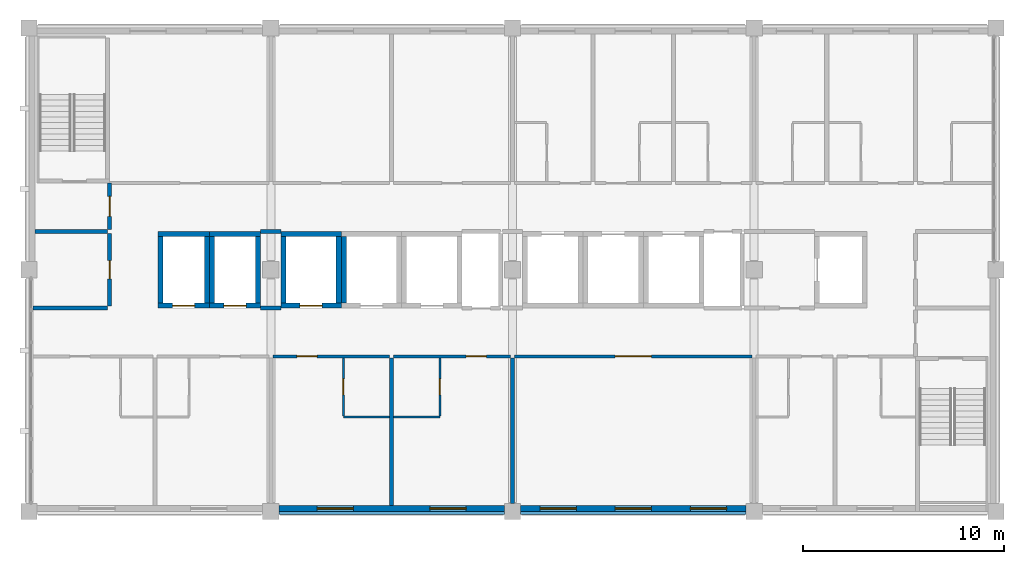
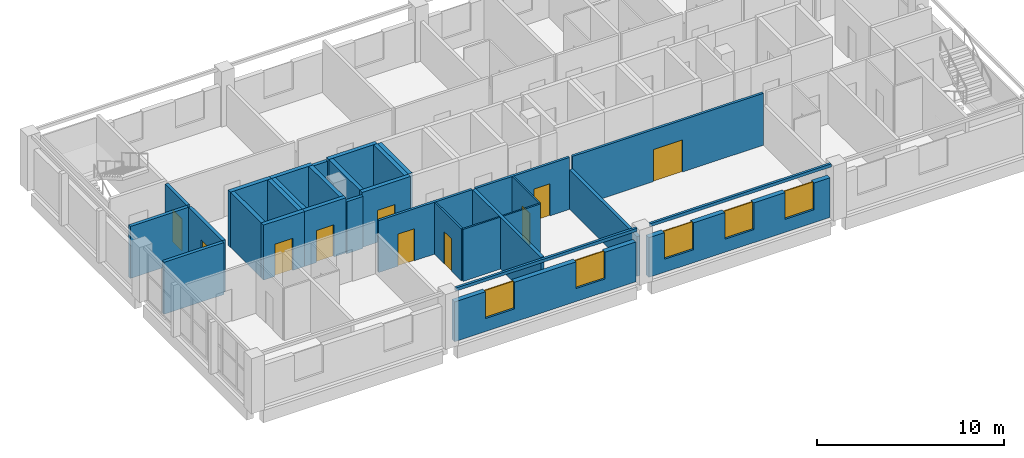
# One storey, part 6 of 11: 32 walls, 10 doors, 5 windows, 15 openings.
"""IFC4 building model written with IfcOpenShell, lengths in metres."""

from ifc_helpers import new_model, si_unit, direction, frame, frame_2d, origin, place, context, subcontext, project, spatial, rectangle, extrude, material, layer, layer_set, type_object, element, fill, save


model = new_model("IFC4")

# Units and contexts
model_context = context("Model", 3, precision=1e-05, world=origin(), true_north=direction((0.0, 1.0)))
body_context = subcontext(model_context, "Body", "Model", "MODEL_VIEW")
ifc_project = project(units=[si_unit("LENGTHUNIT", "METRE"), si_unit("AREAUNIT", "SQUARE_METRE"), si_unit("VOLUMEUNIT", "CUBIC_METRE"), si_unit("PLANEANGLEUNIT", "RADIAN"), si_unit("MASSUNIT", "GRAM", prefix="KILO")], contexts=[model_context])

# Site, building, storey
site_placement = place(None, origin())
site = spatial("IfcSite", under=ifc_project, at=site_placement, CompositionType="ELEMENT")
building_placement = place(site_placement, origin())
building = spatial("IfcBuilding", under=site, at=building_placement, Name="Lilac Gate Convention Centre", CompositionType="ELEMENT")
storey_placement = place(building_placement, frame((0.0, 0.0, 35.39990234375)))
storey = spatial("IfcBuildingStorey", under=building, at=storey_placement, Name="L08", CompositionType="ELEMENT", Elevation=35.39990234375)

# Wall, opening, door
ifc_material_1 = material(Name="Concrete C50", Category="concrete")
ifc_layer_1 = layer(ifc_material_1, 0.25)
ifc_layer_set_1 = layer_set([ifc_layer_1], Name="Concrete C50")
wall_type_1 = type_object("IfcWallType", Name="Core wall 250 C50", PredefinedType="SHEAR", material=ifc_layer_set_1)
wall_1_placement = place(storey_placement, frame((54.5, 232.22509765625, 0.0), z_axis=(0.0, 0.0, 1.0), x_axis=(1.0, 0.0, 0.0)))
wall_1 = element("IfcWall", 1, at=wall_1_placement, inside=storey, type_object=wall_type_1, Name="CRW4 core wall TC L08 1", PredefinedType="SHEAR", context=body_context, shape_type="SweptSolid", body=[
    extrude(rectangle(XDim=3.0, YDim=0.25, at=frame_2d((1.5, 0.0))), origin(), (0.0, 0.0, 1.0), 3.60009765625),
])
opening_1_placement = place(wall_1_placement, frame((0.949951171875, 0.0, 0.0)))
opening_1 = element("IfcOpeningElement", 2, at=opening_1_placement, cuts=wall_1, Name="Opening T07-036", PredefinedType="OPENING", context=body_context, shape_type="SweptSolid", body=[
    extrude(rectangle(XDim=1.10009765625, YDim=2.10009765625, at=frame_2d((0.550048828125, 1.050048828125))), frame((0.0, 0.135009765625, 0.0), z_axis=(0.0, -1.0, 0.0), x_axis=(1.0, 0.0, 0.0)), (0.0, 0.0, 1.0), 0.27001953125),
])
ifc_material_2 = material(Name="Stainless steel 304", Category="steel")
door_type_1 = type_object("IfcDoorType", Name="Lift landing door 1100", OperationType="SLIDING_TO_LEFT", PredefinedType="DOOR", material=ifc_material_2)
door_1_placement = place(opening_1_placement, origin())
door_1 = element("IfcDoor", 3, at=door_1_placement, inside=storey, type_object=door_type_1, Name="Lift landing door TP1 L08", OperationType="SLIDING_TO_LEFT", OverallHeight=2.10009765625, OverallWidth=1.10009765625, PredefinedType="DOOR", context=body_context, shape_type="SweptSolid", body=[
    extrude(rectangle(XDim=1.10009765625, YDim=2.10009765625, at=frame_2d((0.550048828125, 1.050048828125))), frame((0.0, 0.02490234375, 0.0), z_axis=(0.0, -1.0, 0.0), x_axis=(1.0, 0.0, 0.0)), (0.0, 0.0, 1.0), 0.050048828125),
])
fill(opening_1, door_1)

# Walls
wall_2_placement = place(storey_placement, frame((54.5, 235.77490234375, 0.0), z_axis=(0.0, 0.0, 1.0), x_axis=(1.0, 0.0, 0.0)))
element("IfcWall", 4, at=wall_2_placement, inside=storey, type_object=wall_type_1, Name="CRW4 core wall TC L08 2", PredefinedType="SHEAR", context=body_context, shape_type="SweptSolid", body=[
    extrude(rectangle(XDim=3.0, YDim=0.25, at=frame_2d((1.5, 0.0))), origin(), (0.0, 0.0, 1.0), 3.60009765625),
])
for number, where, z_axis, x_axis, name in (
    (5, (54.625, 232.35009765625, 0.0), (0.0, 0.0, 1.0), (0.0, 1.0, 0.0), "CRW4 core wall TC L08 3"),
    (6, (57.375, 232.35009765625, 0.0), (0.0, 0.0, 1.0), (0.0, 1.0, 0.0), "CRW4 core wall TC L08 4"),
    (7, (57.625, 232.35009765625, 0.0), (0.0, 0.0, 1.0), (0.0, 1.0, 0.0), "CRW4 core wall TC L08 7"),
):
    element("IfcWall", number, at=place(storey_placement, frame(where, z_axis=z_axis, x_axis=x_axis)), inside=storey, type_object=wall_type_1, Name=name, PredefinedType="SHEAR", context=body_context, shape_type="SweptSolid", body=[
        extrude(rectangle(XDim=3.2998046875, YDim=0.25, at=frame_2d((1.64990234375, 0.0))), origin(), (0.0, 0.0, 1.0), 3.60009765625),
    ])

# Wall, opening, door
wall_3_placement = place(storey_placement, frame((48.39990234375, 232.22509765625, 0.0), z_axis=(0.0, 0.0, 1.0), x_axis=(1.0, 0.0, 0.0)))
wall_3 = element("IfcWall", 8, at=wall_3_placement, inside=storey, type_object=wall_type_1, Name="CRW4 core wall TC L08 25", PredefinedType="SHEAR", context=body_context, shape_type="SweptSolid", body=[
    extrude(rectangle(XDim=2.550048828125, YDim=0.25, at=frame_2d((1.27490234375, 0.0))), origin(), (0.0, 0.0, 1.0), 3.60009765625),
])
opening_2_placement = place(wall_3_placement, frame((0.72509765625, 0.0, 0.0)))
opening_2 = element("IfcOpeningElement", 9, at=opening_2_placement, cuts=wall_3, Name="Opening T07-042", PredefinedType="OPENING", context=body_context, shape_type="SweptSolid", body=[
    extrude(rectangle(XDim=1.10009765625, YDim=2.10009765625, at=frame_2d((0.550048828125, 1.050048828125))), frame((0.0, 0.135009765625, 0.0), z_axis=(0.0, -1.0, 0.0), x_axis=(1.0, 0.0, 0.0)), (0.0, 0.0, 1.0), 0.27001953125),
])
door_2_placement = place(opening_2_placement, origin())
door_2 = element("IfcDoor", 10, at=door_2_placement, inside=storey, type_object=door_type_1, Name="Lift landing door TS1 L08", OperationType="SLIDING_TO_LEFT", OverallHeight=2.10009765625, OverallWidth=1.10009765625, PredefinedType="DOOR", context=body_context, shape_type="SweptSolid", body=[
    extrude(rectangle(XDim=1.10009765625, YDim=2.10009765625, at=frame_2d((0.550048828125, 1.050048828125))), frame((0.0, 0.02490234375, 0.0), z_axis=(0.0, -1.0, 0.0), x_axis=(1.0, 0.0, 0.0)), (0.0, 0.0, 1.0), 0.050048828125),
])
fill(opening_2, door_2)

# Walls
wall_4_placement = place(storey_placement, frame((48.39990234375, 235.77490234375, 0.0), z_axis=(0.0, 0.0, 1.0), x_axis=(1.0, 0.0, 0.0)))
element("IfcWall", 11, at=wall_4_placement, inside=storey, type_object=wall_type_1, Name="CRW4 core wall TC L08 26", PredefinedType="SHEAR", context=body_context, shape_type="SweptSolid", body=[
    extrude(rectangle(XDim=2.550048828125, YDim=0.25, at=frame_2d((1.27490234375, 0.0))), origin(), (0.0, 0.0, 1.0), 3.60009765625),
])
for number, where, z_axis, x_axis, name in (
    (12, (48.52490234375, 232.35009765625, 0.0), (0.0, 0.0, 1.0), (0.0, 1.0, 0.0), "CRW4 core wall TC L08 27"),
    (13, (50.824951171875, 232.35009765625, 0.0), (0.0, 0.0, 1.0), (0.0, 1.0, 0.0), "CRW4 core wall TC L08 28"),
):
    element("IfcWall", number, at=place(storey_placement, frame(where, z_axis=z_axis, x_axis=x_axis)), inside=storey, type_object=wall_type_1, Name=name, PredefinedType="SHEAR", context=body_context, shape_type="SweptSolid", body=[
        extrude(rectangle(XDim=3.2998046875, YDim=0.25, at=frame_2d((1.64990234375, 0.0))), origin(), (0.0, 0.0, 1.0), 3.60009765625),
    ])

# Wall, opening, door
wall_5_placement = place(storey_placement, frame((50.949951171875, 232.22509765625, 0.0), z_axis=(0.0, 0.0, 1.0), x_axis=(1.0, 0.0, 0.0)))
wall_5 = element("IfcWall", 14, at=wall_5_placement, inside=storey, type_object=wall_type_1, Name="CRW4 core wall TC L08 29", PredefinedType="SHEAR", context=body_context, shape_type="SweptSolid", body=[
    extrude(rectangle(XDim=2.550048828125, YDim=0.25, at=frame_2d((1.27490234375, 0.0))), origin(), (0.0, 0.0, 1.0), 3.60009765625),
])
opening_3_placement = place(wall_5_placement, frame((0.72509765625, 0.0, 0.0)))
opening_3 = element("IfcOpeningElement", 15, at=opening_3_placement, cuts=wall_5, Name="Opening T07-043", PredefinedType="OPENING", context=body_context, shape_type="SweptSolid", body=[
    extrude(rectangle(XDim=1.10009765625, YDim=2.10009765625, at=frame_2d((0.550048828125, 1.050048828125))), frame((0.0, 0.135009765625, 0.0), z_axis=(0.0, -1.0, 0.0), x_axis=(1.0, 0.0, 0.0)), (0.0, 0.0, 1.0), 0.27001953125),
])
door_3_placement = place(opening_3_placement, origin())
door_3 = element("IfcDoor", 16, at=door_3_placement, inside=storey, type_object=door_type_1, Name="Lift landing door TS2 L08", OperationType="SLIDING_TO_LEFT", OverallHeight=2.10009765625, OverallWidth=1.10009765625, PredefinedType="DOOR", context=body_context, shape_type="SweptSolid", body=[
    extrude(rectangle(XDim=1.10009765625, YDim=2.10009765625, at=frame_2d((0.550048828125, 1.050048828125))), frame((0.0, 0.02490234375, 0.0), z_axis=(0.0, -1.0, 0.0), x_axis=(1.0, 0.0, 0.0)), (0.0, 0.0, 1.0), 0.050048828125),
])
fill(opening_3, door_3)

# Walls
wall_6_placement = place(storey_placement, frame((50.949951171875, 235.77490234375, 0.0), z_axis=(0.0, 0.0, 1.0), x_axis=(1.0, 0.0, 0.0)))
element("IfcWall", 17, at=wall_6_placement, inside=storey, type_object=wall_type_1, Name="CRW4 core wall TC L08 30", PredefinedType="SHEAR", context=body_context, shape_type="SweptSolid", body=[
    extrude(rectangle(XDim=2.550048828125, YDim=0.25, at=frame_2d((1.27490234375, 0.0))), origin(), (0.0, 0.0, 1.0), 3.60009765625),
])
for number, where, z_axis, x_axis, name in (
    (18, (51.074951171875, 232.35009765625, 0.0), (0.0, 0.0, 1.0), (0.0, 1.0, 0.0), "CRW4 core wall TC L08 31"),
    (19, (53.375, 232.35009765625, 0.0), (0.0, 0.0, 1.0), (0.0, 1.0, 0.0), "CRW4 core wall TC L08 32"),
):
    element("IfcWall", number, at=place(storey_placement, frame(where, z_axis=z_axis, x_axis=x_axis)), inside=storey, type_object=wall_type_1, Name=name, PredefinedType="SHEAR", context=body_context, shape_type="SweptSolid", body=[
        extrude(rectangle(XDim=3.2998046875, YDim=0.25, at=frame_2d((1.64990234375, 0.0))), origin(), (0.0, 0.0, 1.0), 3.60009765625),
    ])

# Wall, opening, door
ifc_material_3 = material(Name="Gypsum board on steel stud", Category="steel")
ifc_layer_2 = layer(ifc_material_3, 0.14990234375)
ifc_layer_set_2 = layer_set([ifc_layer_2], Name="Gypsum board on steel stud")
wall_type_2 = type_object("IfcWallType", Name="Corridor wall 150", PredefinedType="PARTITIONING", material=ifc_layer_set_2)
wall_7_placement = place(storey_placement, frame((59.89990234375, 229.699951171875, 0.0), z_axis=(0.0, 0.0, 1.0), x_axis=(-1.0, 0.0, 0.0)))
wall_7 = element("IfcWall", 20, at=wall_7_placement, inside=storey, type_object=wall_type_2, Name="Corridor wall 150 front 0803", PredefinedType="PARTITIONING", context=body_context, shape_type="SweptSolid", body=[
    extrude(rectangle(XDim=5.7998046875, YDim=0.14990234375, at=frame_2d((2.89990234375, 0.0))), origin(), (0.0, 0.0, 1.0), 3.400146484375),
])
opening_4_placement = place(wall_7_placement, frame((3.60009765625, 0.0, 0.0)))
opening_4 = element("IfcOpeningElement", 21, at=opening_4_placement, cuts=wall_7, Name="Opening T07-012", PredefinedType="OPENING", context=body_context, shape_type="SweptSolid", body=[
    extrude(rectangle(XDim=1.0, YDim=2.10009765625, at=frame_2d((0.5, 1.050048828125))), frame((0.0, 0.0849609375, 0.0), z_axis=(0.0, -1.0, 0.0), x_axis=(1.0, 0.0, 0.0)), (0.0, 0.0, 1.0), 0.169921875),
])
ifc_material_4 = material(Name="Timber", Category="wood")
door_type_2 = type_object("IfcDoorType", Name="Guest room entrance door 1000", OperationType="SINGLE_SWING_LEFT", PredefinedType="DOOR", material=ifc_material_4)
door_4_placement = place(opening_4_placement, origin())
door_4 = element("IfcDoor", 22, at=door_4_placement, inside=storey, type_object=door_type_2, Name="Guest room door 0803", OperationType="SINGLE_SWING_RIGHT", OverallHeight=2.10009765625, OverallWidth=1.0, PredefinedType="DOOR", context=body_context, shape_type="SweptSolid", body=[
    extrude(rectangle(XDim=1.0, YDim=2.10009765625, at=frame_2d((0.5, 1.050048828125))), frame((0.0, 0.02490234375, 0.0), z_axis=(0.0, -1.0, 0.0), x_axis=(1.0, 0.0, 0.0)), (0.0, 0.0, 1.0), 0.050048828125),
])
fill(opening_4, door_4)

wall_8_placement = place(storey_placement, frame((65.89990234375, 229.699951171875, 0.0), z_axis=(0.0, 0.0, 1.0), x_axis=(-1.0, 0.0, 0.0)))
wall_8 = element("IfcWall", 23, at=wall_8_placement, inside=storey, type_object=wall_type_2, Name="Corridor wall 150 front 0804", PredefinedType="PARTITIONING", context=body_context, shape_type="SweptSolid", body=[
    extrude(rectangle(XDim=5.7998046875, YDim=0.14990234375, at=frame_2d((2.89990234375, 0.0))), origin(), (0.0, 0.0, 1.0), 3.400146484375),
])
opening_5_placement = place(wall_8_placement, frame((1.199951171875, 0.0, 0.0)))
opening_5 = element("IfcOpeningElement", 24, at=opening_5_placement, cuts=wall_8, Name="Opening T07-014", PredefinedType="OPENING", context=body_context, shape_type="SweptSolid", body=[
    extrude(rectangle(XDim=1.0, YDim=2.10009765625, at=frame_2d((0.5, 1.050048828125))), frame((0.0, 0.0849609375, 0.0), z_axis=(0.0, -1.0, 0.0), x_axis=(1.0, 0.0, 0.0)), (0.0, 0.0, 1.0), 0.169921875),
])
door_5_placement = place(opening_5_placement, origin())
door_5 = element("IfcDoor", 25, at=door_5_placement, inside=storey, type_object=door_type_2, Name="Guest room door 0804", OperationType="SINGLE_SWING_LEFT", OverallHeight=2.10009765625, OverallWidth=1.0, PredefinedType="DOOR", context=body_context, shape_type="SweptSolid", body=[
    extrude(rectangle(XDim=1.0, YDim=2.10009765625, at=frame_2d((0.5, 1.050048828125))), frame((0.0, 0.02490234375, 0.0), z_axis=(0.0, -1.0, 0.0), x_axis=(1.0, 0.0, 0.0)), (0.0, 0.0, 1.0), 0.050048828125),
])
fill(opening_5, door_5)

wall_9_placement = place(storey_placement, frame((77.89990234375, 229.699951171875, 0.0), z_axis=(0.0, 0.0, 1.0), x_axis=(-1.0, 0.0, 0.0)))
wall_9 = element("IfcWall", 26, at=wall_9_placement, inside=storey, type_object=wall_type_2, Name="Corridor wall 150 front 0805", PredefinedType="PARTITIONING", context=body_context, shape_type="SweptSolid", body=[
    extrude(rectangle(XDim=11.7998046875, YDim=0.14990234375, at=frame_2d((5.89990234375, 0.0))), origin(), (0.0, 0.0, 1.0), 3.400146484375),
])
opening_6_placement = place(wall_9_placement, frame((5.0, 0.0, 0.0)))
opening_6 = element("IfcOpeningElement", 27, at=opening_6_placement, cuts=wall_9, Name="Opening T07-016", PredefinedType="OPENING", context=body_context, shape_type="SweptSolid", body=[
    extrude(rectangle(XDim=1.800048828125, YDim=2.10009765625, at=frame_2d((0.89990234375, 1.050048828125))), frame((0.0, 0.0849609375, 0.0), z_axis=(0.0, -1.0, 0.0), x_axis=(1.0, 0.0, 0.0)), (0.0, 0.0, 1.0), 0.169921875),
])
door_type_3 = type_object("IfcDoorType", Name="Double room door 1800", OperationType="DOUBLE_DOOR_SINGLE_SWING", PredefinedType="DOOR", material=ifc_material_4)
door_6_placement = place(opening_6_placement, origin())
door_6 = element("IfcDoor", 28, at=door_6_placement, inside=storey, type_object=door_type_3, Name="Club Lounge door", OperationType="DOUBLE_DOOR_SINGLE_SWING", OverallHeight=2.10009765625, OverallWidth=1.800048828125, PredefinedType="DOOR", context=body_context, shape_type="SweptSolid", body=[
    extrude(rectangle(XDim=1.800048828125, YDim=2.10009765625, at=frame_2d((0.89990234375, 1.050048828125))), frame((0.0, 0.02490234375, 0.0), z_axis=(0.0, -1.0, 0.0), x_axis=(1.0, 0.0, 0.0)), (0.0, 0.0, 1.0), 0.050048828125),
])
fill(opening_6, door_6)

# Wall
ifc_layer_3 = layer(ifc_material_3, 0.10009765625)
ifc_layer_set_3 = layer_set([ifc_layer_3], Name="Gypsum board on steel stud")
wall_type_3 = type_object("IfcWallType", Name="En-suite wall 100", PredefinedType="PARTITIONING", material=ifc_layer_set_3)
wall_10_placement = place(storey_placement, frame((57.60009765625, 226.699951171875, 0.0), z_axis=(0.0, 0.0, 1.0), x_axis=(1.0, 0.0, 0.0)))
element("IfcWall", 29, at=wall_10_placement, inside=storey, type_object=wall_type_3, Name="En-suite wall 100 bath 0803", PredefinedType="PARTITIONING", context=body_context, shape_type="SweptSolid", body=[
    extrude(rectangle(XDim=2.2998046875, YDim=0.10009765625, at=frame_2d((1.14990234375, 0.0))), origin(), (0.0, 0.0, 1.0), 3.400146484375),
])

# Wall, opening, door
wall_11_placement = place(storey_placement, frame((57.60009765625, 226.75, 0.0), z_axis=(0.0, 0.0, 1.0), x_axis=(0.0, 1.0, 0.0)))
wall_11 = element("IfcWall", 30, at=wall_11_placement, inside=storey, type_object=wall_type_3, Name="En-suite wall 100 bath side 0803", PredefinedType="PARTITIONING", context=body_context, shape_type="SweptSolid", body=[
    extrude(rectangle(XDim=2.875, YDim=0.10009765625, at=frame_2d((1.4375, 0.0))), origin(), (0.0, 0.0, 1.0), 3.400146484375),
])
opening_7_placement = place(wall_11_placement, frame((1.03759765625, 0.0, 0.0)))
opening_7 = element("IfcOpeningElement", 31, at=opening_7_placement, cuts=wall_11, Name="Opening T07-013", PredefinedType="OPENING", context=body_context, shape_type="SweptSolid", body=[
    extrude(rectangle(XDim=0.800048828125, YDim=2.10009765625, at=frame_2d((0.39990234375, 1.050048828125))), frame((0.0, 0.06005859375, 0.0), z_axis=(0.0, -1.0, 0.0), x_axis=(1.0, 0.0, 0.0)), (0.0, 0.0, 1.0), 0.1201171875),
])
door_type_4 = type_object("IfcDoorType", Name="En-suite door 800", OperationType="SINGLE_SWING_LEFT", PredefinedType="DOOR", material=ifc_material_4)
door_7_placement = place(opening_7_placement, origin())
door_7 = element("IfcDoor", 32, at=door_7_placement, inside=storey, type_object=door_type_4, Name="En-suite door 0803", OperationType="SINGLE_SWING_RIGHT", OverallHeight=2.10009765625, OverallWidth=0.800048828125, PredefinedType="DOOR", context=body_context, shape_type="SweptSolid", body=[
    extrude(rectangle(XDim=0.800048828125, YDim=2.10009765625, at=frame_2d((0.39990234375, 1.050048828125))), frame((0.0, 0.02490234375, 0.0), z_axis=(0.0, -1.0, 0.0), x_axis=(1.0, 0.0, 0.0)), (0.0, 0.0, 1.0), 0.050048828125),
])
fill(opening_7, door_7)

# Wall
wall_12_placement = place(storey_placement, frame((60.10009765625, 226.699951171875, 0.0), z_axis=(0.0, 0.0, 1.0), x_axis=(1.0, 0.0, 0.0)))
element("IfcWall", 33, at=wall_12_placement, inside=storey, type_object=wall_type_3, Name="En-suite wall 100 bath 0804", PredefinedType="PARTITIONING", context=body_context, shape_type="SweptSolid", body=[
    extrude(rectangle(XDim=2.2998046875, YDim=0.10009765625, at=frame_2d((1.14990234375, 0.0))), origin(), (0.0, 0.0, 1.0), 3.400146484375),
])

# Wall, opening, door
wall_13_placement = place(storey_placement, frame((62.39990234375, 229.625, 0.0), z_axis=(0.0, 0.0, 1.0), x_axis=(0.0, -1.0, 0.0)))
wall_13 = element("IfcWall", 34, at=wall_13_placement, inside=storey, type_object=wall_type_3, Name="En-suite wall 100 bath side 0804", PredefinedType="PARTITIONING", context=body_context, shape_type="SweptSolid", body=[
    extrude(rectangle(XDim=2.875, YDim=0.10009765625, at=frame_2d((1.4375, 0.0))), origin(), (0.0, 0.0, 1.0), 3.400146484375),
])
opening_8_placement = place(wall_13_placement, frame((1.03759765625, 0.0, 0.0)))
opening_8 = element("IfcOpeningElement", 35, at=opening_8_placement, cuts=wall_13, Name="Opening T07-015", PredefinedType="OPENING", context=body_context, shape_type="SweptSolid", body=[
    extrude(rectangle(XDim=0.800048828125, YDim=2.10009765625, at=frame_2d((0.39990234375, 1.050048828125))), frame((0.0, 0.06005859375, 0.0), z_axis=(0.0, -1.0, 0.0), x_axis=(1.0, 0.0, 0.0)), (0.0, 0.0, 1.0), 0.1201171875),
])
door_8_placement = place(opening_8_placement, origin())
door_8 = element("IfcDoor", 36, at=door_8_placement, inside=storey, type_object=door_type_4, Name="En-suite door 0804", OperationType="SINGLE_SWING_LEFT", OverallHeight=2.10009765625, OverallWidth=0.800048828125, PredefinedType="DOOR", context=body_context, shape_type="SweptSolid", body=[
    extrude(rectangle(XDim=0.800048828125, YDim=2.10009765625, at=frame_2d((0.39990234375, 1.050048828125))), frame((0.0, 0.02490234375, 0.0), z_axis=(0.0, -1.0, 0.0), x_axis=(1.0, 0.0, 0.0)), (0.0, 0.0, 1.0), 0.050048828125),
])
fill(opening_8, door_8)

# Walls
ifc_layer_4 = layer(ifc_material_3, 0.199951171875)
ifc_layer_set_4 = layer_set([ifc_layer_4], Name="Gypsum board on steel stud")
wall_type_4 = type_object("IfcWallType", Name="Guest room party wall 200", PredefinedType="PARTITIONING", material=ifc_layer_set_4)
wall_14_placement = place(storey_placement, frame((60.0, 222.2998046875, 0.0), z_axis=(0.0, 0.0, 1.0), x_axis=(0.0, 1.0, 0.0)))
element("IfcWall", 37, at=wall_14_placement, inside=storey, type_object=wall_type_4, Name="Guest room party wall 200 party 60.0", PredefinedType="PARTITIONING", context=body_context, shape_type="SweptSolid", body=[
    extrude(rectangle(XDim=7.3251953125, YDim=0.199951171875, at=frame_2d((3.66259765625, 0.0))), origin(), (0.0, 0.0, 1.0), 3.400146484375),
])
wall_15_placement = place(storey_placement, frame((66.0, 222.39990234375, 0.0), z_axis=(0.0, 0.0, 1.0), x_axis=(0.0, 1.0, 0.0)))
element("IfcWall", 38, at=wall_15_placement, inside=storey, type_object=wall_type_4, Name="Guest room party wall 200 party 66.0", PredefinedType="PARTITIONING", context=body_context, shape_type="SweptSolid", body=[
    extrude(rectangle(XDim=7.22509765625, YDim=0.199951171875, at=frame_2d((3.612548828125, 0.0))), origin(), (0.0, 0.0, 1.0), 2.60009765625),
])

# Wall, opening, door
ifc_layer_5 = layer(ifc_material_3, 0.199951171875)
ifc_layer_set_5 = layer_set([ifc_layer_5], Name="Gypsum board on steel stud")
wall_type_5 = type_object("IfcWallType", Name="Lobby wall 200", PredefinedType="PARTITIONING", material=ifc_layer_set_5)
wall_16_placement = place(storey_placement, frame((46.0, 236.0, 0.0), z_axis=(0.0, 0.0, 1.0), x_axis=(0.0, 1.0, 0.0)))
wall_16 = element("IfcWall", 39, at=wall_16_placement, inside=storey, type_object=wall_type_5, Name="Lobby wall 200 STL-NW-E", PredefinedType="PARTITIONING", context=body_context, shape_type="SweptSolid", body=[
    extrude(rectangle(XDim=2.300048828125, YDim=0.199951171875, at=frame_2d((1.14990234375, 0.0))), origin(), (0.0, 0.0, 1.0), 3.400146484375),
])
opening_9_placement = place(wall_16_placement, frame((0.64990234375, 0.0, 0.0)))
opening_9 = element("IfcOpeningElement", 40, at=opening_9_placement, cuts=wall_16, Name="Opening T07-006", PredefinedType="OPENING", context=body_context, shape_type="SweptSolid", body=[
    extrude(rectangle(XDim=1.0, YDim=2.10009765625, at=frame_2d((0.5, 1.050048828125))), frame((0.0, 0.10986328125, 0.0), z_axis=(0.0, -1.0, 0.0), x_axis=(1.0, 0.0, 0.0)), (0.0, 0.0, 1.0), 0.219970703125),
])
ifc_material_5 = material(Name="Steel Q235B", Category="steel")
door_type_5 = type_object("IfcDoorType", Name="Lobby door 1000", OperationType="SINGLE_SWING_LEFT", PredefinedType="DOOR", material=ifc_material_5)
door_9_placement = place(opening_9_placement, origin())
door_9 = element("IfcDoor", 41, at=door_9_placement, inside=storey, type_object=door_type_5, Name="Stair lobby door NW", OperationType="SINGLE_SWING_LEFT", OverallHeight=2.10009765625, OverallWidth=1.0, PredefinedType="DOOR", context=body_context, shape_type="SweptSolid", body=[
    extrude(rectangle(XDim=1.0, YDim=2.10009765625, at=frame_2d((0.5, 1.050048828125))), frame((0.0, 0.02490234375, 0.0), z_axis=(0.0, -1.0, 0.0), x_axis=(1.0, 0.0, 0.0)), (0.0, 0.0, 1.0), 0.050048828125),
])
fill(opening_9, door_9)

# Walls
ifc_material_6 = material(Name="Concrete C40 precast", Category="concrete")
ifc_layer_6 = layer(ifc_material_6, 0.1298828125)
ifc_material_7 = material(Name="Terracotta glazed cladding", Category="masonry")
ifc_layer_7 = layer(ifc_material_7, 0.02001953125)
ifc_layer_set_6 = layer_set([ifc_layer_6, ifc_layer_7], Name="Concrete C40 precast, Terracotta glazed cladding")
wall_type_6 = type_object("IfcWallType", Name="Precast band terracotta 150", PredefinedType="STANDARD", material=ifc_layer_set_6)
for number, where, z_axis, x_axis, name in (
    (42, (54.39990234375, 221.925048828125, 3.400146484375), (0.0, 0.0, 1.0), (1.0, 0.0, 0.0), "Precast band S L08 2"),
    (43, (66.39990234375, 221.925048828125, 3.400146484375), (0.0, 0.0, 1.0), (1.0, 0.0, 0.0), "Precast band S L08 3"),
):
    element("IfcWall", number, at=place(storey_placement, frame(where, z_axis=z_axis, x_axis=x_axis)), inside=storey, type_object=wall_type_6, Name=name, PredefinedType="STANDARD", context=body_context, shape_type="SweptSolid", body=[
        extrude(rectangle(XDim=11.2001953125, YDim=0.14990234375, at=frame_2d((5.60009765625, 0.0))), origin(), (0.0, 0.0, 1.0), 0.199951171875),
    ])

# Wall, openings, windows
ifc_layer_8 = layer(ifc_material_7, 0.02001953125)
ifc_layer_9 = layer(ifc_material_6, 0.06005859375)
ifc_material_8 = material(Name="Ventilated air cavity")
ifc_layer_10 = layer(ifc_material_8, 0.030029296875)
ifc_material_9 = material(Name="Mineral wool insulation")
ifc_layer_11 = layer(ifc_material_9, 0.1201171875)
ifc_material_10 = material(Name="Steel stud Q345 and gypsum lining", Category="steel")
ifc_layer_12 = layer(ifc_material_10, 0.070068359375)
ifc_layer_set_7 = layer_set([ifc_layer_8, ifc_layer_9, ifc_layer_10, ifc_layer_11, ifc_layer_12], Name="Terracotta glazed cladding, Concrete C40 precast, Ventilated air cavity, Mineral wool insulation, Steel stud Q345 and gypsum lining")
wall_type_7 = type_object("IfcWallType", Name="Precast panel wall terracotta 300", PredefinedType="STANDARD", material=ifc_layer_set_7)
wall_17_placement = place(storey_placement, frame((54.39990234375, 222.14990234375, 0.0), z_axis=(0.0, 0.0, 1.0), x_axis=(1.0, 0.0, 0.0)))
wall_17 = element("IfcWall", 44, at=wall_17_placement, inside=storey, type_object=wall_type_7, Name="External wall S L08 2", PredefinedType="STANDARD", context=body_context, shape_type="SweptSolid", body=[
    extrude(rectangle(XDim=11.2001953125, YDim=0.300048828125, at=frame_2d((5.60009765625, 0.0))), origin(), (0.0, 0.0, 1.0), 2.60009765625),
])
opening_10_placement = place(wall_17_placement, frame((1.89990234375, 0.0, 0.85009765625)))
opening_10 = element("IfcOpeningElement", 45, at=opening_10_placement, cuts=wall_17, Name="Opening W1", PredefinedType="OPENING", context=body_context, shape_type="SweptSolid", body=[
    extrude(rectangle(XDim=1.800048828125, YDim=1.75, at=frame_2d((0.89990234375, 0.875))), frame((0.0, 0.159912109375, 0.0), z_axis=(0.0, -1.0, 0.0), x_axis=(1.0, 0.0, 0.0)), (0.0, 0.0, 1.0), 0.320068359375),
])
opening_11_placement = place(wall_17_placement, frame((7.5, 0.0, 0.85009765625)))
opening_11 = element("IfcOpeningElement", 46, at=opening_11_placement, cuts=wall_17, Name="Opening W1", PredefinedType="OPENING", context=body_context, shape_type="SweptSolid", body=[
    extrude(rectangle(XDim=1.800048828125, YDim=1.75, at=frame_2d((0.89990234375, 0.875))), frame((0.0, 0.159912109375, 0.0), z_axis=(0.0, -1.0, 0.0), x_axis=(1.0, 0.0, 0.0)), (0.0, 0.0, 1.0), 0.320068359375),
])
ifc_material_11 = material(Name="Aluminium framed double glazing", Category="aluminium")
window_type = type_object("IfcWindowType", Name="Guest room window 1800 x 1750", PartitioningType="DOUBLE_PANEL_VERTICAL", PredefinedType="WINDOW", material=ifc_material_11)
window_1_placement = place(opening_10_placement, origin())
window_1 = element("IfcWindow", 47, at=window_1_placement, inside=storey, type_object=window_type, Name="Window Guest S L08", OverallHeight=1.75, OverallWidth=1.800048828125, PartitioningType="SINGLE_PANEL", PredefinedType="WINDOW", context=body_context, shape_type="SweptSolid", body=[
    extrude(rectangle(XDim=1.800048828125, YDim=1.75, at=frame_2d((0.89990234375, 0.875))), frame((0.0, 0.030029296875, 0.0), z_axis=(0.0, -1.0, 0.0), x_axis=(1.0, 0.0, 0.0)), (0.0, 0.0, 1.0), 0.06005859375),
])
fill(opening_10, window_1)
window_2_placement = place(opening_11_placement, origin())
window_2 = element("IfcWindow", 48, at=window_2_placement, inside=storey, type_object=window_type, Name="Window Guest S L08", OverallHeight=1.75, OverallWidth=1.800048828125, PartitioningType="SINGLE_PANEL", PredefinedType="WINDOW", context=body_context, shape_type="SweptSolid", body=[
    extrude(rectangle(XDim=1.800048828125, YDim=1.75, at=frame_2d((0.89990234375, 0.875))), frame((0.0, 0.030029296875, 0.0), z_axis=(0.0, -1.0, 0.0), x_axis=(1.0, 0.0, 0.0)), (0.0, 0.0, 1.0), 0.06005859375),
])
fill(opening_11, window_2)

wall_18_placement = place(storey_placement, frame((66.39990234375, 222.14990234375, 0.0), z_axis=(0.0, 0.0, 1.0), x_axis=(1.0, 0.0, 0.0)))
wall_18 = element("IfcWall", 49, at=wall_18_placement, inside=storey, type_object=wall_type_7, Name="External wall S L08 3", PredefinedType="STANDARD", context=body_context, shape_type="SweptSolid", body=[
    extrude(rectangle(XDim=11.2001953125, YDim=0.300048828125, at=frame_2d((5.60009765625, 0.0))), origin(), (0.0, 0.0, 1.0), 2.60009765625),
])
opening_12_placement = place(wall_18_placement, frame((0.966552734375, 0.0, 0.85009765625)))
opening_12 = element("IfcOpeningElement", 50, at=opening_12_placement, cuts=wall_18, Name="Opening W1", PredefinedType="OPENING", context=body_context, shape_type="SweptSolid", body=[
    extrude(rectangle(XDim=1.800048828125, YDim=1.75, at=frame_2d((0.89990234375, 0.875))), frame((0.0, 0.159912109375, 0.0), z_axis=(0.0, -1.0, 0.0), x_axis=(1.0, 0.0, 0.0)), (0.0, 0.0, 1.0), 0.320068359375),
])
opening_13_placement = place(wall_18_placement, frame((4.699951171875, 0.0, 0.85009765625)))
opening_13 = element("IfcOpeningElement", 51, at=opening_13_placement, cuts=wall_18, Name="Opening W1", PredefinedType="OPENING", context=body_context, shape_type="SweptSolid", body=[
    extrude(rectangle(XDim=1.800048828125, YDim=1.75, at=frame_2d((0.89990234375, 0.875))), frame((0.0, 0.159912109375, 0.0), z_axis=(0.0, -1.0, 0.0), x_axis=(1.0, 0.0, 0.0)), (0.0, 0.0, 1.0), 0.320068359375),
])
opening_14_placement = place(wall_18_placement, frame((8.433349609375, 0.0, 0.85009765625)))
opening_14 = element("IfcOpeningElement", 52, at=opening_14_placement, cuts=wall_18, Name="Opening W1", PredefinedType="OPENING", context=body_context, shape_type="SweptSolid", body=[
    extrude(rectangle(XDim=1.800048828125, YDim=1.75, at=frame_2d((0.89990234375, 0.875))), frame((0.0, 0.159912109375, 0.0), z_axis=(0.0, -1.0, 0.0), x_axis=(1.0, 0.0, 0.0)), (0.0, 0.0, 1.0), 0.320068359375),
])
window_3_placement = place(opening_12_placement, origin())
window_3 = element("IfcWindow", 53, at=window_3_placement, inside=storey, type_object=window_type, Name="Window Guest S L08", OverallHeight=1.75, OverallWidth=1.800048828125, PartitioningType="SINGLE_PANEL", PredefinedType="WINDOW", context=body_context, shape_type="SweptSolid", body=[
    extrude(rectangle(XDim=1.800048828125, YDim=1.75, at=frame_2d((0.89990234375, 0.875))), frame((0.0, 0.030029296875, 0.0), z_axis=(0.0, -1.0, 0.0), x_axis=(1.0, 0.0, 0.0)), (0.0, 0.0, 1.0), 0.06005859375),
])
fill(opening_12, window_3)
window_4_placement = place(opening_13_placement, origin())
window_4 = element("IfcWindow", 54, at=window_4_placement, inside=storey, type_object=window_type, Name="Window Guest S L08", OverallHeight=1.75, OverallWidth=1.800048828125, PartitioningType="SINGLE_PANEL", PredefinedType="WINDOW", context=body_context, shape_type="SweptSolid", body=[
    extrude(rectangle(XDim=1.800048828125, YDim=1.75, at=frame_2d((0.89990234375, 0.875))), frame((0.0, 0.030029296875, 0.0), z_axis=(0.0, -1.0, 0.0), x_axis=(1.0, 0.0, 0.0)), (0.0, 0.0, 1.0), 0.06005859375),
])
fill(opening_13, window_4)
window_5_placement = place(opening_14_placement, origin())
window_5 = element("IfcWindow", 55, at=window_5_placement, inside=storey, type_object=window_type, Name="Window Guest S L08", OverallHeight=1.75, OverallWidth=1.800048828125, PartitioningType="SINGLE_PANEL", PredefinedType="WINDOW", context=body_context, shape_type="SweptSolid", body=[
    extrude(rectangle(XDim=1.800048828125, YDim=1.75, at=frame_2d((0.89990234375, 0.875))), frame((0.0, 0.030029296875, 0.0), z_axis=(0.0, -1.0, 0.0), x_axis=(1.0, 0.0, 0.0)), (0.0, 0.0, 1.0), 0.06005859375),
])
fill(opening_14, window_5)

# Walls
ifc_layer_13 = layer(ifc_material_3, 0.199951171875)
ifc_layer_set_8 = layer_set([ifc_layer_13], Name="Gypsum board on steel stud")
wall_type_8 = type_object("IfcWallType", Name="Riser and store wall 200", PredefinedType="PARTITIONING", material=ifc_layer_set_8)
wall_19_placement = place(storey_placement, frame((42.2001953125, 232.10009765625, 0.0), z_axis=(0.0, 0.0, 1.0), x_axis=(1.0, 0.0, 0.0)))
element("IfcWall", 56, at=wall_19_placement, inside=storey, type_object=wall_type_8, Name="Riser and store wall 200 HKW-S", PredefinedType="PARTITIONING", context=body_context, shape_type="SweptSolid", body=[
    extrude(rectangle(XDim=3.69970703125, YDim=0.199951171875, at=frame_2d((1.849853515625, 0.0))), origin(), (0.0, 0.0, 1.0), 3.400146484375),
])
wall_20_placement = place(storey_placement, frame((53.5, 232.10009765625, 0.0), z_axis=(0.0, 0.0, 1.0), x_axis=(1.0, 0.0, 0.0)))
element("IfcWall", 57, at=wall_20_placement, inside=storey, type_object=wall_type_8, Name="Riser and store wall 200 NICHE1-S", PredefinedType="PARTITIONING", context=body_context, shape_type="SweptSolid", body=[
    extrude(rectangle(XDim=1.0, YDim=0.199951171875, at=frame_2d((0.5, 0.0))), origin(), (0.0, 0.0, 1.0), 3.400146484375),
])
wall_21_placement = place(storey_placement, frame((42.2998046875, 235.89990234375, 0.0), z_axis=(0.0, 0.0, 1.0), x_axis=(1.0, 0.0, 0.0)))
element("IfcWall", 58, at=wall_21_placement, inside=storey, type_object=wall_type_8, Name="Riser and store wall 200 HKW-N", PredefinedType="PARTITIONING", context=body_context, shape_type="SweptSolid", body=[
    extrude(rectangle(XDim=3.60009765625, YDim=0.199951171875, at=frame_2d((1.800048828125, 0.0))), origin(), (0.0, 0.0, 1.0), 3.400146484375),
])
wall_22_placement = place(storey_placement, frame((53.5, 235.89990234375, 0.0), z_axis=(0.0, 0.0, 1.0), x_axis=(1.0, 0.0, 0.0)))
element("IfcWall", 59, at=wall_22_placement, inside=storey, type_object=wall_type_8, Name="Riser and store wall 200 NICHE1-N", PredefinedType="PARTITIONING", context=body_context, shape_type="SweptSolid", body=[
    extrude(rectangle(XDim=1.0, YDim=0.199951171875, at=frame_2d((0.5, 0.0))), origin(), (0.0, 0.0, 1.0), 3.400146484375),
])

# Wall, opening, door
wall_23_placement = place(storey_placement, frame((46.0, 232.199951171875, 0.0), z_axis=(0.0, 0.0, 1.0), x_axis=(0.0, 1.0, 0.0)))
wall_23 = element("IfcWall", 60, at=wall_23_placement, inside=storey, type_object=wall_type_8, Name="Riser and store wall 200 HKW-E", PredefinedType="PARTITIONING", context=body_context, shape_type="SweptSolid", body=[
    extrude(rectangle(XDim=3.60009765625, YDim=0.199951171875, at=frame_2d((1.800048828125, 0.0))), origin(), (0.0, 0.0, 1.0), 3.400146484375),
])
opening_15_placement = place(wall_23_placement, frame((1.35009765625, 0.0, 0.0)))
opening_15 = element("IfcOpeningElement", 61, at=opening_15_placement, cuts=wall_23, Name="Opening T07-001", PredefinedType="OPENING", context=body_context, shape_type="SweptSolid", body=[
    extrude(rectangle(XDim=0.89990234375, YDim=2.10009765625, at=frame_2d((0.449951171875, 1.050048828125))), frame((0.0, 0.10986328125, 0.0), z_axis=(0.0, -1.0, 0.0), x_axis=(1.0, 0.0, 0.0)), (0.0, 0.0, 1.0), 0.219970703125),
])
door_type_6 = type_object("IfcDoorType", Name="Riser and store door 900", OperationType="SINGLE_SWING_LEFT", PredefinedType="DOOR", material=ifc_material_5)
door_10_placement = place(opening_15_placement, origin())
door_10 = element("IfcDoor", 62, at=door_10_placement, inside=storey, type_object=door_type_6, Name="Housekeeping door", OperationType="SINGLE_SWING_LEFT", OverallHeight=2.10009765625, OverallWidth=0.89990234375, PredefinedType="DOOR", context=body_context, shape_type="SweptSolid", body=[
    extrude(rectangle(XDim=0.89990234375, YDim=2.10009765625, at=frame_2d((0.449951171875, 1.050048828125))), frame((0.0, 0.02490234375, 0.0), z_axis=(0.0, -1.0, 0.0), x_axis=(1.0, 0.0, 0.0)), (0.0, 0.0, 1.0), 0.050048828125),
])
fill(opening_15, door_10)

save(model, "model.ifc")
